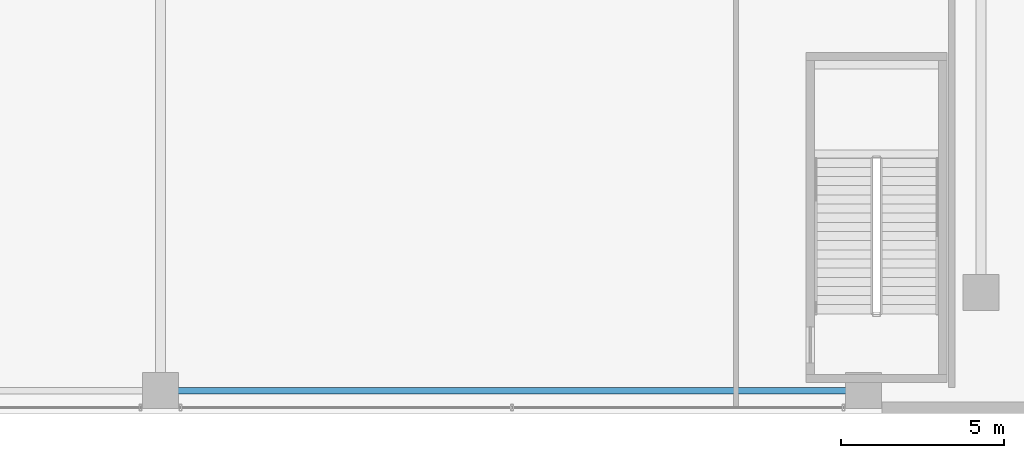
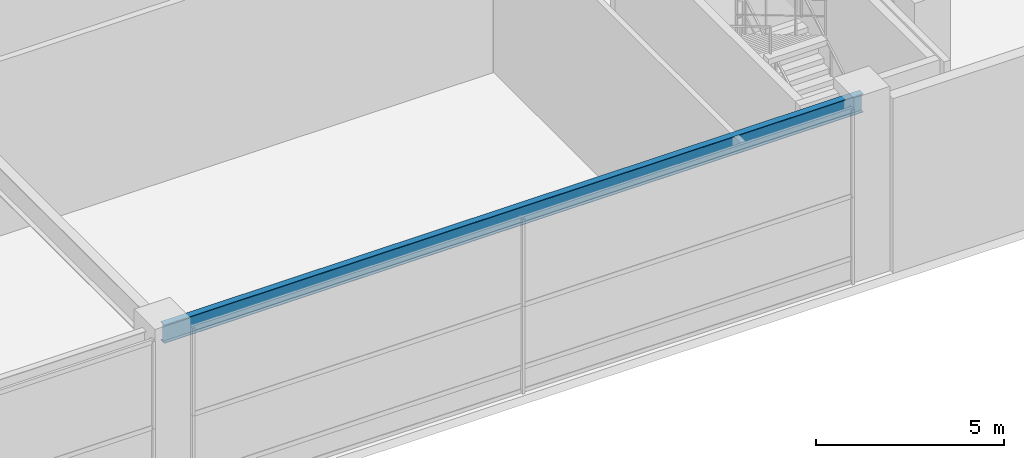
# One storey, part 12 of 39: 1 beam.
"""IFC4 building model written with IfcOpenShell, lengths in metres."""

from ifc_helpers import new_model, si_unit, direction, frame, origin, origin_2d, place, context, subcontext, project, spatial, i_section, extrude, source, transform, mapped, material, material_profile, profile_set, type_object, element, save


model = new_model("IFC4")

# Units and contexts
model_context = context("Model", 3, precision=1e-05, world=origin(), true_north=direction((0.0, 1.0)))
body_context = subcontext(model_context, "Body", "Model", "MODEL_VIEW")
ifc_project = project(units=[si_unit("LENGTHUNIT", "METRE"), si_unit("AREAUNIT", "SQUARE_METRE"), si_unit("VOLUMEUNIT", "CUBIC_METRE"), si_unit("PLANEANGLEUNIT", "RADIAN"), si_unit("MASSUNIT", "GRAM", prefix="KILO"), si_unit("THERMODYNAMICTEMPERATUREUNIT", "KELVIN"), si_unit("POWERUNIT", "WATT")], contexts=[model_context])

# Site, building, storey
site_placement = place(None, origin())
site = spatial("IfcSite", under=ifc_project, at=site_placement, CompositionType="ELEMENT")
building_placement = place(site_placement, origin())
building = spatial("IfcBuilding", under=site, at=building_placement, Name="Yuzanri Waterfront Tower", CompositionType="ELEMENT")
storey_placement = place(building_placement, frame((0.0, 0.0, 19.800048828125)))
storey = spatial("IfcBuildingStorey", under=building, at=storey_placement, Name="L05", CompositionType="ELEMENT", Elevation=19.800048828125)

# Beam
ifc_material = material(Name="Steel Q355B", Category="steel")
ifc_material_profile = material_profile(ifc_material, i_section(OverallWidth=0.199951171875, OverallDepth=0.60009765625, WebThickness=0.010986328125, FlangeThickness=0.01708984375, at=origin_2d()), Name="HN 600x200x11x17")
ifc_profile_set = profile_set([ifc_material_profile], Name="Steel Q355B")
beam_type = type_object("IfcBeamType", Name="Perimeter Spandrel Q355B HN 600x200", PredefinedType="SPANDREL", material=ifc_profile_set)
shared_shape = source(origin(), body_context, "Body", "SweptSolid", [
    extrude(i_section(OverallWidth=0.199951171875, OverallDepth=0.60009765625, WebThickness=0.010986328125, FlangeThickness=0.01708984375, at=origin_2d()), origin(), (0.0, 0.0, 1.0), 21.5),
])
beam_placement = place(storey_placement, frame((37.0, 2.5, 5.3798828125), z_axis=(1.0, 0.0, 0.0), x_axis=(0.0, 1.0, 0.0)))
element("IfcBeam", 1, at=beam_placement, inside=storey, type_object=beam_type, Name="L05 South Spandrel 2", PredefinedType="SPANDREL", context=body_context, shape_type="MappedRepresentation", body=[
    mapped(shared_shape, transform((0.0, 0.0, 0.0), scale=1.0)),
])

save(model, "model.ifc")
